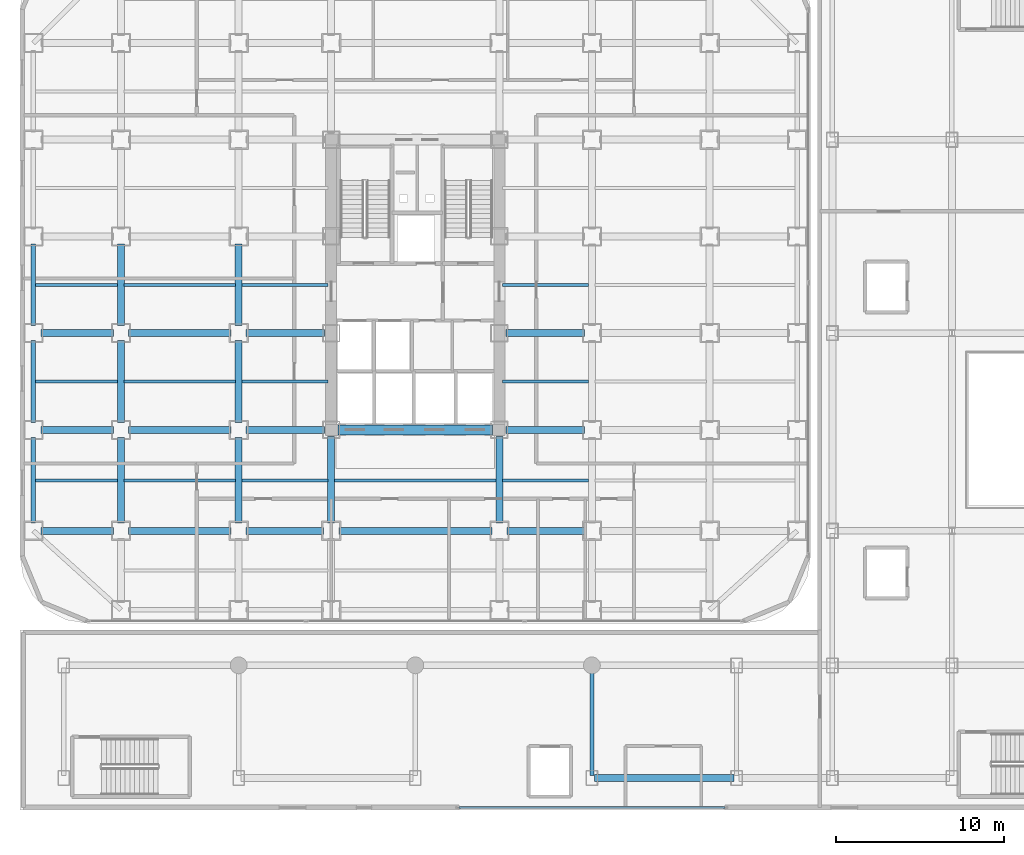
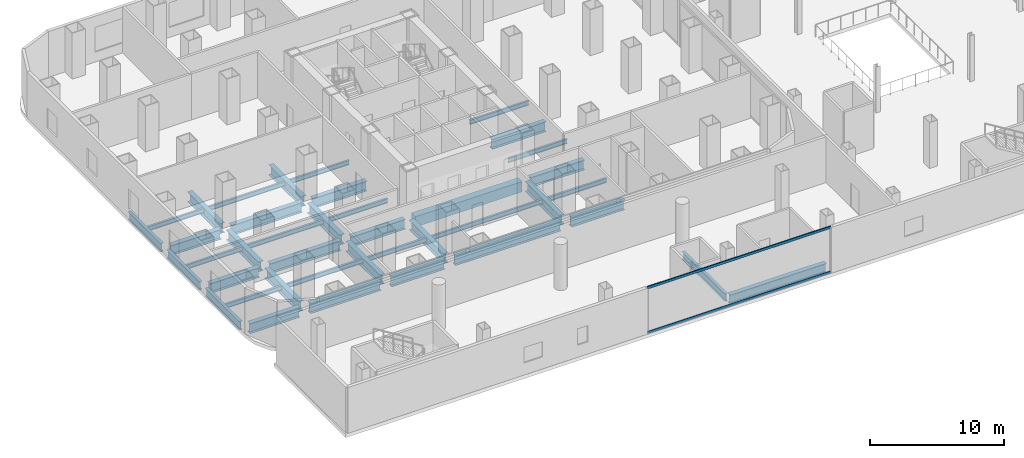
# One storey, part 9 of 27: 40 beams, 2 members, 1 element without a shape of its own.
"""IFC4 building model written with IfcOpenShell, lengths in metres."""

import ifcopenshell
import ifcopenshell.guid

model = None  # the IFC model being written
_history = None  # IfcOwnerHistory: only IFC2X3 demands one
_inside = {}  # id of a spatial element -> (the spatial element, [elements in it])
_under = {}  # id of a project, library or spatial element -> (it, [spatial elements below it])
_declared = {}  # id of a project -> (the project, [libraries it declares])
_typed = {}  # id of a type object -> (the type object, [elements of that type])
_made_of = {}  # id of a material, layer set ... -> (it, [elements and type objects made of it])


def new_model(schema):
    """Start an empty IFC model of exactly this schema.

    Asked for "IFC4X3", IfcOpenShell would pick the latest addendum, in which some entities
    have other attributes; the version numbers below select the first issue.
    IFC2X3 requires an IfcOwnerHistory on every rooted entity: one is made here for all.
    """
    global model, _history
    if schema == "IFC4X3":
        model = ifcopenshell.file(schema_version=(4, 3, 0, 0))
    else:
        model = ifcopenshell.file(schema=schema)
    _inside.clear()
    _under.clear()
    _declared.clear()
    _typed.clear()
    _made_of.clear()
    _history = None
    if model.schema == "IFC2X3":
        org = make("IfcOrganization", Name="unknown")
        user = make(
            "IfcPersonAndOrganization",
            ThePerson=make("IfcPerson", FamilyName="unknown"),
            TheOrganization=org,
        )
        app = make(
            "IfcApplication",
            ApplicationDeveloper=org,
            Version="unknown",
            ApplicationFullName="unknown",
            ApplicationIdentifier="unknown",
        )
        _history = make(
            "IfcOwnerHistory",
            OwningUser=user,
            OwningApplication=app,
            ChangeAction="ADDED",
            CreationDate=0,
        )
    return model


def make(cls, **values):
    """One entity of the class cls with the attributes given. An attribute that is None is left unset."""
    return model.create_entity(
        cls, **{name: value for name, value in values.items() if value is not None}
    )


def rooted(cls, **values):
    """An entity with a GlobalId (a new one), such as an element, a storey or a relation."""
    return make(cls, GlobalId=ifcopenshell.guid.new(), OwnerHistory=_history, **values)


def si_unit(unit_type, name, prefix=None):
    """IfcSIUnit, for example si_unit("LENGTHUNIT", "METRE", prefix="MILLI")."""
    return make("IfcSIUnit", UnitType=unit_type, Prefix=prefix, Name=name)


def assignment(units):
    """IfcUnitAssignment: the units of a project."""
    return None if units is None else make("IfcUnitAssignment", Units=units)


def point(xyz):
    """IfcCartesianPoint."""
    return None if xyz is None else make("IfcCartesianPoint", Coordinates=xyz)


def direction(xyz):
    """IfcDirection."""
    return None if xyz is None else make("IfcDirection", DirectionRatios=xyz)


def frame(location, z_axis=None, x_axis=None):
    """IfcAxis2Placement3D, a coordinate frame: its origin and axes. An axis left out is left unset."""
    return make(
        "IfcAxis2Placement3D",
        Location=point(location),
        Axis=direction(z_axis),
        RefDirection=direction(x_axis),
    )


def frame_2d(location, x_axis=None):
    """IfcAxis2Placement2D, a coordinate frame in the plane: its origin and x axis."""
    return make(
        "IfcAxis2Placement2D", Location=point(location), RefDirection=direction(x_axis)
    )


def origin():
    """The frame at (0, 0, 0) with its axes left unset."""
    return frame((0.0, 0.0, 0.0))


def origin_2d():
    """The frame at (0, 0) in the plane with its x axis left unset."""
    return frame_2d((0.0, 0.0))


def place(relative_to, where):
    """IfcLocalPlacement: puts the frame where relative to a parent placement (None: the world)."""
    return make(
        "IfcLocalPlacement", PlacementRelTo=relative_to, RelativePlacement=where
    )


def context(
    kind, dimensions, precision=None, world=None, true_north=None, identifier=None
):
    """IfcGeometricRepresentationContext, for example the 3D "Model" context."""
    return make(
        "IfcGeometricRepresentationContext",
        ContextIdentifier=identifier,
        ContextType=kind,
        CoordinateSpaceDimension=dimensions,
        Precision=precision,
        WorldCoordinateSystem=world,
        TrueNorth=true_north,
    )


def subcontext(parent, identifier, kind, view, scale=None):
    """IfcGeometricRepresentationSubContext, for example "Body" below "Model"."""
    return make(
        "IfcGeometricRepresentationSubContext",
        ContextIdentifier=identifier,
        ContextType=kind,
        ParentContext=parent,
        TargetScale=scale,
        TargetView=view,
    )


def project(units=None, contexts=None):
    """IfcProject with its units and contexts."""
    return rooted(
        "IfcProject",
        Name="project",
        RepresentationContexts=contexts,
        UnitsInContext=assignment(units),
    )


def spatial(cls, under=None, at=None, **own):
    """A site, building, storey or space (cls), placed at a placement, below another one or the project."""
    s = rooted(cls, ObjectPlacement=at, **own)
    if under is not None:
        _under.setdefault(under.id(), (under, []))[1].append(s)
    return s


def profile(cls, at=None, kind="AREA", **sizes):
    """A parametric profile (cls). Its sizes go by their IFC names, for example OverallWidth=200.0."""
    return make(cls, ProfileType=kind, Position=at, **sizes)


def rectangle(**sizes):
    """IfcRectangleProfileDef."""
    return profile("IfcRectangleProfileDef", **sizes)


def hollow_rectangle(**sizes):
    """IfcRectangleHollowProfileDef."""
    return profile("IfcRectangleHollowProfileDef", **sizes)


def i_section(**sizes):
    """IfcIShapeProfileDef."""
    return profile("IfcIShapeProfileDef", **sizes)


def extrude(swept, where, along, depth):
    """IfcExtrudedAreaSolid: the profile swept, set in the frame where, extruded along a direction by depth."""
    return make(
        "IfcExtrudedAreaSolid",
        SweptArea=swept,
        Position=where,
        ExtrudedDirection=direction(along),
        Depth=depth,
    )


def shape(context_of_items, identifier, shape_type, items):
    """IfcShapeRepresentation: the items that make up one representation, for example the "Body"."""
    return make(
        "IfcShapeRepresentation",
        ContextOfItems=context_of_items,
        RepresentationIdentifier=identifier,
        RepresentationType=shape_type,
        Items=items,
    )


def source(mapping_origin, context_of_items, identifier, shape_type, items):
    """IfcRepresentationMap: a shape defined once, which mapped items show again and again."""
    return make(
        "IfcRepresentationMap",
        MappingOrigin=mapping_origin,
        MappedRepresentation=shape(context_of_items, identifier, shape_type, items),
    )


def transform(
    local_origin,
    x_axis=None,
    y_axis=None,
    z_axis=None,
    scale=None,
    scale2=None,
    scale3=None,
    uniform=True,
):
    """IfcCartesianTransformationOperator3D, or its non-uniform kind. x_axis, y_axis, z_axis: its Axis1, 2, 3."""
    if uniform:
        return make(
            "IfcCartesianTransformationOperator3D",
            Axis1=direction(x_axis),
            Axis2=direction(y_axis),
            LocalOrigin=point(local_origin),
            Scale=scale,
            Axis3=direction(z_axis),
        )
    return make(
        "IfcCartesianTransformationOperator3DnonUniform",
        Axis1=direction(x_axis),
        Axis2=direction(y_axis),
        LocalOrigin=point(local_origin),
        Scale=scale,
        Axis3=direction(z_axis),
        Scale2=scale2,
        Scale3=scale3,
    )


def mapped(mapping_source, mapping_target):
    """IfcMappedItem: shows the shape of a source again, moved by a transform."""
    return make(
        "IfcMappedItem", MappingSource=mapping_source, MappingTarget=mapping_target
    )


def material(Name=None, Category=None):
    """IfcMaterial."""
    return make("IfcMaterial", Name=Name, Category=Category)


def layer(
    of_material, thickness, ventilated=None, Name=None, Category=None, Priority=None
):
    """IfcMaterialLayer: one layer of a wall or slab, of a material (None: an air gap)."""
    return make(
        "IfcMaterialLayer",
        Material=of_material,
        LayerThickness=thickness,
        IsVentilated=ventilated,
        Name=Name,
        Category=Category,
        Priority=Priority,
    )


def layer_set(layers, Name=None):
    """IfcMaterialLayerSet."""
    return make("IfcMaterialLayerSet", MaterialLayers=layers, LayerSetName=Name)


def material_profile(
    of_material, cross_section, Name=None, Category=None, Priority=None
):
    """IfcMaterialProfile: a cross section and its material."""
    return make(
        "IfcMaterialProfile",
        Name=Name,
        Material=of_material,
        Profile=cross_section,
        Priority=Priority,
        Category=Category,
    )


def profile_set(profiles, Name=None, composite=None):
    """IfcMaterialProfileSet."""
    return make(
        "IfcMaterialProfileSet",
        Name=Name,
        MaterialProfiles=profiles,
        CompositeProfile=composite,
    )


def made_of(thing, what):
    """Note that an element or type object is made of a material, layer set ...; save() writes the relation."""
    if what is not None:
        _made_of.setdefault(what.id(), (what, []))[1].append(thing)
    return thing


def type_object(cls, material=None, **own):
    """A type object (cls), such as IfcWallType, which elements share."""
    return made_of(rooted(cls, **own), material)


def element(
    cls,
    number,
    at=None,
    inside=None,
    cuts=None,
    type_object=None,
    material=None,
    context=None,
    identifier="Body",
    shape_type=None,
    held_by="IfcProductDefinitionShape",
    body=None,
    shapes=None,
    **own,
):
    """One element of the class cls, such as IfcWall. Its Tag is "e" and its number.

    at: its placement. inside: the storey or other place that contains it. cuts: it is an
    opening in that element (IfcRelVoidsElement). A single representation is given by context,
    identifier, shape_type and body (its items); several are given by shapes. held_by: the class
    of the entity that holds the representations. save() writes the other relations.
    """
    e = rooted(cls, Tag="e%d" % number, ObjectPlacement=at, **own)
    if body is not None:
        shapes = [shape(context, identifier, shape_type, body)]
    if shapes is not None:
        e.Representation = make(held_by, Representations=shapes)
    if inside is not None:
        _inside.setdefault(inside.id(), (inside, []))[1].append(e)
    if cuts is not None:
        rooted(
            "IfcRelVoidsElement", RelatingBuildingElement=cuts, RelatedOpeningElement=e
        )
    if type_object is not None:
        _typed.setdefault(type_object.id(), (type_object, []))[1].append(e)
    return made_of(e, material)


def aggregate(whole, parts):
    """IfcRelAggregates: a whole, such as a stair, and the parts it consists of."""
    return rooted("IfcRelAggregates", RelatingObject=whole, RelatedObjects=parts)


def save(model, path):
    """Write the relations noted so far, then the file.

    IfcRelAggregates (storeys below a building ...), IfcRelContainedInSpatialStructure (elements
    in a storey), IfcRelDefinesByType, IfcRelAssociatesMaterial and IfcRelDeclares: one each for
    every whole, place, type object, material and project.
    """
    for whole, parts in _under.values():
        aggregate(whole, parts)
    for where, things in _inside.values():
        rooted(
            "IfcRelContainedInSpatialStructure",
            RelatedElements=things,
            RelatingStructure=where,
        )
    for kind, things in _typed.values():
        rooted("IfcRelDefinesByType", RelatedObjects=things, RelatingType=kind)
    for what, things in _made_of.values():
        rooted("IfcRelAssociatesMaterial", RelatedObjects=things, RelatingMaterial=what)
    for by, libraries in _declared.values():
        rooted("IfcRelDeclares", RelatingContext=by, RelatedDefinitions=libraries)
    model.write(path)


model = new_model("IFC4")

# Units and contexts
model_context = context("Model", 3, precision=1e-05, world=origin(), true_north=direction((0.0, 1.0)))
body_context = subcontext(model_context, "Body", "Model", "MODEL_VIEW")
ifc_project = project(units=[si_unit("LENGTHUNIT", "METRE"), si_unit("AREAUNIT", "SQUARE_METRE"), si_unit("VOLUMEUNIT", "CUBIC_METRE"), si_unit("PLANEANGLEUNIT", "RADIAN"), si_unit("MASSUNIT", "GRAM", prefix="KILO")], contexts=[model_context])

# Site, building, storey
site_placement = place(None, origin())
site = spatial("IfcSite", under=ifc_project, at=site_placement, CompositionType="ELEMENT")
building_placement = place(site_placement, origin())
building = spatial("IfcBuilding", under=site, at=building_placement, Name="Kolveth Station Tower", CompositionType="ELEMENT")
storey_placement = place(building_placement, frame((0.0, 0.0, 13.5)))
storey = spatial("IfcBuildingStorey", under=building, at=storey_placement, Name="L03", CompositionType="ELEMENT", Elevation=13.5)

# Beams
ifc_material_1 = material(Name="Steel S355", Category="steel")
ifc_material_profile_1 = material_profile(ifc_material_1, i_section(OverallWidth=0.26904296875, OverallDepth=0.77490234375, WebThickness=0.01708984375, FlangeThickness=0.0283203125, at=origin_2d()), Name="W760x220")
ifc_profile_set_1 = profile_set([ifc_material_profile_1], Name="Steel S355")
beam_type_1 = type_object("IfcBeamType", Name="Beam_SP1", PredefinedType="SPANDREL", material=ifc_profile_set_1)
shared_shape_1 = source(origin(), body_context, "Body", "SweptSolid", [
    extrude(i_section(OverallWidth=0.26904296875, OverallDepth=0.77490234375, WebThickness=0.01708984375, FlangeThickness=0.0283203125, at=origin_2d()), origin(), (0.0, 0.0, 1.0), 5.10009765625),
])
beam_1_placement = place(storey_placement, frame((0.800048828125, 5.949951171875, -0.70751953125), z_axis=(0.0, 1.0, 0.0), x_axis=(-1.0, 0.0, 0.0)))
element("IfcBeam", 1, at=beam_1_placement, inside=storey, type_object=beam_type_1, Name="L03 Perimeter Spandrel BM-L03-PW-1", PredefinedType="SPANDREL", context=body_context, shape_type="MappedRepresentation", body=[
    mapped(shared_shape_1, transform((0.0, 0.0, 0.0), x_axis=(1.0, 0.0, 0.0), y_axis=(0.0, 1.0, 0.0), z_axis=(0.0, 0.0, 1.0), scale=1.0)),
])
shared_shape_2 = source(origin(), body_context, "Body", "SweptSolid", [
    extrude(i_section(OverallWidth=0.26904296875, OverallDepth=0.77490234375, WebThickness=0.01708984375, FlangeThickness=0.0283203125, at=origin_2d()), origin(), (0.0, 0.0, 1.0), 4.85009765625),
])
for number, where, z_axis, x_axis, name in (
    (2, (0.800048828125, 11.949951171875, -0.70751953125), (0.0, 1.0, 0.0), (-1.0, 0.0, 0.0), "L03 Perimeter Spandrel BM-L03-PW-2"),
    (3, (0.800048828125, 17.699951171875, -0.70751953125), (0.0, 1.0, 0.0), (-1.0, 0.0, 0.0), "L03 Perimeter Spandrel BM-L03-PW-3"),
):
    element("IfcBeam", number, at=place(storey_placement, frame(where, z_axis=z_axis, x_axis=x_axis)), inside=storey, type_object=beam_type_1, Name=name, PredefinedType="SPANDREL", context=body_context, shape_type="MappedRepresentation", body=[
        mapped(shared_shape_2, transform((0.0, 0.0, 0.0), x_axis=(1.0, 0.0, 0.0), y_axis=(0.0, 1.0, 0.0), z_axis=(0.0, 0.0, 1.0), scale=1.0)),
    ])
ifc_material_profile_2 = material_profile(ifc_material_1, i_section(OverallWidth=0.41796875, OverallDepth=0.912109375, WebThickness=0.019287109375, FlangeThickness=0.031982421875, at=origin_2d()), Name="W920x342")
ifc_profile_set_2 = profile_set([ifc_material_profile_2], Name="Steel S355")
beam_type_2 = type_object("IfcBeamType", Name="Beam_B1", PredefinedType="BEAM", material=ifc_profile_set_2)
shared_shape_3 = source(origin(), body_context, "Body", "SweptSolid", [
    extrude(i_section(OverallWidth=0.41796875, OverallDepth=0.912109375, WebThickness=0.019287109375, FlangeThickness=0.031982421875, at=origin_2d()), origin(), (0.0, 0.0, 1.0), 4.300048828125),
])
for number, where, z_axis, x_axis, name in (
    (4, (1.25, 5.5, -0.77587890625), (1.0, 0.0, 0.0), (0.0, 1.0, 0.0), "L03 Primary Girder BM-L03-GY55-1"),
    (5, (1.25, 11.5, -0.77587890625), (1.0, 0.0, 0.0), (0.0, 1.0, 0.0), "L03 Primary Girder BM-L03-GY115-1"),
    (6, (1.25, 17.25, -0.77587890625), (1.0, 0.0, 0.0), (0.0, 1.0, 0.0), "L03 Primary Girder BM-L03-GY172-1"),
):
    element("IfcBeam", number, at=place(storey_placement, frame(where, z_axis=z_axis, x_axis=x_axis)), inside=storey, type_object=beam_type_2, Name=name, PredefinedType="BEAM", context=body_context, shape_type="MappedRepresentation", body=[
        mapped(shared_shape_3, transform((0.0, 0.0, 0.0), x_axis=(1.0, 0.0, 0.0), y_axis=(0.0, 1.0, 0.0), z_axis=(0.0, 0.0, 1.0), scale=1.0)),
    ])
shared_shape_4 = source(origin(), body_context, "Body", "SweptSolid", [
    extrude(i_section(OverallWidth=0.41796875, OverallDepth=0.912109375, WebThickness=0.019287109375, FlangeThickness=0.031982421875, at=origin_2d()), origin(), (0.0, 0.0, 1.0), 6.10009765625),
])
for number, where, z_axis, x_axis, name in (
    (7, (6.449951171875, 5.5, -0.77587890625), (1.0, 0.0, 0.0), (0.0, 1.0, 0.0), "L03 Primary Girder BM-L03-GY55-2"),
    (8, (6.449951171875, 11.5, -0.77587890625), (1.0, 0.0, 0.0), (0.0, 1.0, 0.0), "L03 Primary Girder BM-L03-GY115-2"),
    (9, (6.449951171875, 17.25, -0.77587890625), (1.0, 0.0, 0.0), (0.0, 1.0, 0.0), "L03 Primary Girder BM-L03-GY172-2"),
):
    element("IfcBeam", number, at=place(storey_placement, frame(where, z_axis=z_axis, x_axis=x_axis)), inside=storey, type_object=beam_type_2, Name=name, PredefinedType="BEAM", context=body_context, shape_type="MappedRepresentation", body=[
        mapped(shared_shape_4, transform((0.0, 0.0, 0.0), x_axis=(1.0, 0.0, 0.0), y_axis=(0.0, 1.0, 0.0), z_axis=(0.0, 0.0, 1.0), scale=1.0)),
    ])
shared_shape_5 = source(origin(), body_context, "Body", "SweptSolid", [
    extrude(i_section(OverallWidth=0.41796875, OverallDepth=0.912109375, WebThickness=0.019287109375, FlangeThickness=0.031982421875, at=origin_2d()), origin(), (0.0, 0.0, 1.0), 4.60009765625),
])
for number, where, z_axis, x_axis, name in (
    (10, (13.449951171875, 5.5, -0.77587890625), (1.0, 0.0, 0.0), (0.0, 1.0, 0.0), "L03 Primary Girder BM-L03-GY55-3"),
    (11, (28.949951171875, 5.5, -0.77587890625), (1.0, 0.0, 0.0), (0.0, 1.0, 0.0), "L03 Primary Girder BM-L03-GY55-5"),
):
    element("IfcBeam", number, at=place(storey_placement, frame(where, z_axis=z_axis, x_axis=x_axis)), inside=storey, type_object=beam_type_2, Name=name, PredefinedType="BEAM", context=body_context, shape_type="MappedRepresentation", body=[
        mapped(shared_shape_5, transform((0.0, 0.0, 0.0), x_axis=(1.0, 0.0, 0.0), y_axis=(0.0, 1.0, 0.0), z_axis=(0.0, 0.0, 1.0), scale=1.0)),
    ])
shared_shape_6 = source(origin(), body_context, "Body", "SweptSolid", [
    extrude(i_section(OverallWidth=0.41796875, OverallDepth=0.912109375, WebThickness=0.019287109375, FlangeThickness=0.031982421875, at=origin_2d()), origin(), (0.0, 0.0, 1.0), 9.10009765625),
])
beam_2_placement = place(storey_placement, frame((18.949951171875, 5.5, -0.77587890625), z_axis=(1.0, 0.0, 0.0), x_axis=(0.0, 1.0, 0.0)))
element("IfcBeam", 12, at=beam_2_placement, inside=storey, type_object=beam_type_2, Name="L03 Primary Girder BM-L03-GY55-4", PredefinedType="BEAM", context=body_context, shape_type="MappedRepresentation", body=[
    mapped(shared_shape_6, transform((0.0, 0.0, 0.0), x_axis=(1.0, 0.0, 0.0), y_axis=(0.0, 1.0, 0.0), z_axis=(0.0, 0.0, 1.0), scale=1.0)),
])
shared_shape_7 = source(origin(), body_context, "Body", "SweptSolid", [
    extrude(i_section(OverallWidth=0.41796875, OverallDepth=0.912109375, WebThickness=0.019287109375, FlangeThickness=0.031982421875, at=origin_2d()), origin(), (0.0, 0.0, 1.0), 4.650146484375),
])
for number, where, z_axis, x_axis, name in (
    (13, (13.449951171875, 11.5, -0.77587890625), (1.0, 0.0, 0.0), (0.0, 1.0, 0.0), "L03 Primary Girder BM-L03-GY115-3"),
    (14, (28.89990234375, 11.5, -0.77587890625), (1.0, 0.0, 0.0), (0.0, 1.0, 0.0), "L03 Primary Girder BM-L03-GY115-5"),
    (15, (13.449951171875, 17.25, -0.77587890625), (1.0, 0.0, 0.0), (0.0, 1.0, 0.0), "L03 Primary Girder BM-L03-GY172-3"),
    (16, (28.89990234375, 17.25, -0.77587890625), (1.0, 0.0, 0.0), (0.0, 1.0, 0.0), "L03 Primary Girder BM-L03-GY172-5"),
):
    element("IfcBeam", number, at=place(storey_placement, frame(where, z_axis=z_axis, x_axis=x_axis)), inside=storey, type_object=beam_type_2, Name=name, PredefinedType="BEAM", context=body_context, shape_type="MappedRepresentation", body=[
        mapped(shared_shape_7, transform((0.0, 0.0, 0.0), x_axis=(1.0, 0.0, 0.0), y_axis=(0.0, 1.0, 0.0), z_axis=(0.0, 0.0, 1.0), scale=1.0)),
    ])
ifc_material_2 = material(Name="Concrete C60/75", Category="concrete")
ifc_material_profile_3 = material_profile(ifc_material_2, rectangle(XDim=0.60009765625, YDim=0.949951171875, at=origin_2d()), Name="RC-600x950")
ifc_profile_set_3 = profile_set([ifc_material_profile_3], Name="Concrete C60/75")
beam_type_3 = type_object("IfcBeamType", Name="Beam_CB1", PredefinedType="BEAM", material=ifc_profile_set_3)
shared_shape_8 = source(origin(), body_context, "Body", "SweptSolid", [
    extrude(rectangle(XDim=0.60009765625, YDim=0.949951171875, at=origin_2d()), origin(), (0.0, 0.0, 1.0), 9.2001953125),
])
beam_3_placement = place(storey_placement, frame((18.89990234375, 11.5, -0.794921875), z_axis=(1.0, 0.0, 0.0), x_axis=(0.0, 1.0, 0.0)))
element("IfcBeam", 17, at=beam_3_placement, inside=storey, type_object=beam_type_3, Name="L03 Core Coupling Beam BM-L03-CB-Y115", PredefinedType="BEAM", context=body_context, shape_type="MappedRepresentation", body=[
    mapped(shared_shape_8, transform((0.0, 0.0, 0.0), x_axis=(1.0, 0.0, 0.0), y_axis=(0.0, 1.0, 0.0), z_axis=(0.0, 0.0, 1.0), scale=1.0)),
])
shared_shape_9 = source(origin(), body_context, "Body", "SweptSolid", [
    extrude(i_section(OverallWidth=0.41796875, OverallDepth=0.912109375, WebThickness=0.019287109375, FlangeThickness=0.031982421875, at=origin_2d()), origin(), (0.0, 0.0, 1.0), 5.10009765625),
])
for number, where, z_axis, x_axis, name in (
    (18, (6.0, 5.949951171875, -0.77587890625), (0.0, 1.0, 0.0), (-1.0, 0.0, 0.0), "L03 Primary Girder BM-L03-GX60-2"),
    (19, (13.0, 5.949951171875, -0.77587890625), (0.0, 1.0, 0.0), (-1.0, 0.0, 0.0), "L03 Primary Girder BM-L03-GX130-2"),
):
    element("IfcBeam", number, at=place(storey_placement, frame(where, z_axis=z_axis, x_axis=x_axis)), inside=storey, type_object=beam_type_2, Name=name, PredefinedType="BEAM", context=body_context, shape_type="MappedRepresentation", body=[
        mapped(shared_shape_9, transform((0.0, 0.0, 0.0), x_axis=(1.0, 0.0, 0.0), y_axis=(0.0, 1.0, 0.0), z_axis=(0.0, 0.0, 1.0), scale=1.0)),
    ])
shared_shape_10 = source(origin(), body_context, "Body", "SweptSolid", [
    extrude(i_section(OverallWidth=0.41796875, OverallDepth=0.912109375, WebThickness=0.019287109375, FlangeThickness=0.031982421875, at=origin_2d()), origin(), (0.0, 0.0, 1.0), 4.85009765625),
])
for number, where, z_axis, x_axis, name in (
    (20, (6.0, 11.949951171875, -0.77587890625), (0.0, 1.0, 0.0), (-1.0, 0.0, 0.0), "L03 Primary Girder BM-L03-GX60-3"),
    (21, (6.0, 17.699951171875, -0.77587890625), (0.0, 1.0, 0.0), (-1.0, 0.0, 0.0), "L03 Primary Girder BM-L03-GX60-4"),
    (22, (13.0, 11.949951171875, -0.77587890625), (0.0, 1.0, 0.0), (-1.0, 0.0, 0.0), "L03 Primary Girder BM-L03-GX130-3"),
    (23, (13.0, 17.699951171875, -0.77587890625), (0.0, 1.0, 0.0), (-1.0, 0.0, 0.0), "L03 Primary Girder BM-L03-GX130-4"),
):
    element("IfcBeam", number, at=place(storey_placement, frame(where, z_axis=z_axis, x_axis=x_axis)), inside=storey, type_object=beam_type_2, Name=name, PredefinedType="BEAM", context=body_context, shape_type="MappedRepresentation", body=[
        mapped(shared_shape_10, transform((0.0, 0.0, 0.0), x_axis=(1.0, 0.0, 0.0), y_axis=(0.0, 1.0, 0.0), z_axis=(0.0, 0.0, 1.0), scale=1.0)),
    ])
shared_shape_11 = source(origin(), body_context, "Body", "SweptSolid", [
    extrude(i_section(OverallWidth=0.41796875, OverallDepth=0.912109375, WebThickness=0.019287109375, FlangeThickness=0.031982421875, at=origin_2d()), origin(), (0.0, 0.0, 1.0), 5.150146484375),
])
for number, where, z_axis, x_axis, name in (
    (24, (18.5, 5.949951171875, -0.77587890625), (0.0, 1.0, 0.0), (-1.0, 0.0, 0.0), "L03 Primary Girder BM-L03-GX185-2"),
    (25, (28.5, 5.949951171875, -0.77587890625), (0.0, 1.0, 0.0), (-1.0, 0.0, 0.0), "L03 Primary Girder BM-L03-GX285-2"),
):
    element("IfcBeam", number, at=place(storey_placement, frame(where, z_axis=z_axis, x_axis=x_axis)), inside=storey, type_object=beam_type_2, Name=name, PredefinedType="BEAM", context=body_context, shape_type="MappedRepresentation", body=[
        mapped(shared_shape_11, transform((0.0, 0.0, 0.0), x_axis=(1.0, 0.0, 0.0), y_axis=(0.0, 1.0, 0.0), z_axis=(0.0, 0.0, 1.0), scale=1.0)),
    ])
ifc_material_profile_4 = material_profile(ifc_material_1, i_section(OverallWidth=0.177978515625, OverallDepth=0.406982421875, WebThickness=0.0078125, FlangeThickness=0.0126953125, at=origin_2d()), Name="W410x60")
ifc_profile_set_4 = profile_set([ifc_material_profile_4], Name="Steel S355")
beam_type_4 = type_object("IfcBeamType", Name="Beam_J1", PredefinedType="JOIST", material=ifc_profile_set_4)
shared_shape_12 = source(origin(), body_context, "Body", "SweptSolid", [
    extrude(i_section(OverallWidth=0.177978515625, OverallDepth=0.406982421875, WebThickness=0.0078125, FlangeThickness=0.0126953125, at=origin_2d()), origin(), (0.0, 0.0, 1.0), 4.872314453125),
])
for number, where, z_axis, x_axis, name in (
    (26, (0.9326171875, 8.5, -0.5234375), (1.0, 0.0, 0.0), (0.0, 1.0, 0.0), "L03 Secondary Joist JST-L03-1-2"),
    (27, (0.9326171875, 14.375, -0.5234375), (1.0, 0.0, 0.0), (0.0, 1.0, 0.0), "L03 Secondary Joist JST-L03-1-3"),
    (28, (0.9326171875, 20.125, -0.5234375), (1.0, 0.0, 0.0), (0.0, 1.0, 0.0), "L03 Secondary Joist JST-L03-1-4"),
):
    element("IfcBeam", number, at=place(storey_placement, frame(where, z_axis=z_axis, x_axis=x_axis)), inside=storey, type_object=beam_type_4, Name=name, PredefinedType="JOIST", context=body_context, shape_type="MappedRepresentation", body=[
        mapped(shared_shape_12, transform((0.0, 0.0, 0.0), x_axis=(1.0, 0.0, 0.0), y_axis=(0.0, 1.0, 0.0), z_axis=(0.0, 0.0, 1.0), scale=1.0)),
    ])
shared_shape_13 = source(origin(), body_context, "Body", "SweptSolid", [
    extrude(i_section(OverallWidth=0.177978515625, OverallDepth=0.406982421875, WebThickness=0.0078125, FlangeThickness=0.0126953125, at=origin_2d()), origin(), (0.0, 0.0, 1.0), 6.60986328125),
])
for number, where, z_axis, x_axis, name in (
    (29, (6.195068359375, 8.5, -0.5234375), (1.0, 0.0, 0.0), (0.0, 1.0, 0.0), "L03 Secondary Joist JST-L03-2-2"),
    (30, (6.195068359375, 14.375, -0.5234375), (1.0, 0.0, 0.0), (0.0, 1.0, 0.0), "L03 Secondary Joist JST-L03-2-3"),
    (31, (6.195068359375, 20.125, -0.5234375), (1.0, 0.0, 0.0), (0.0, 1.0, 0.0), "L03 Secondary Joist JST-L03-2-4"),
):
    element("IfcBeam", number, at=place(storey_placement, frame(where, z_axis=z_axis, x_axis=x_axis)), inside=storey, type_object=beam_type_4, Name=name, PredefinedType="JOIST", context=body_context, shape_type="MappedRepresentation", body=[
        mapped(shared_shape_13, transform((0.0, 0.0, 0.0), x_axis=(1.0, 0.0, 0.0), y_axis=(0.0, 1.0, 0.0), z_axis=(0.0, 0.0, 1.0), scale=1.0)),
    ])
shared_shape_14 = source(origin(), body_context, "Body", "SweptSolid", [
    extrude(i_section(OverallWidth=0.177978515625, OverallDepth=0.406982421875, WebThickness=0.0078125, FlangeThickness=0.0126953125, at=origin_2d()), origin(), (0.0, 0.0, 1.0), 5.10986328125),
])
for number, where, z_axis, x_axis, name in (
    (32, (13.195068359375, 8.5, -0.5234375), (1.0, 0.0, 0.0), (0.0, 1.0, 0.0), "L03 Secondary Joist JST-L03-3-2"),
    (33, (13.195068359375, 14.375, -0.5234375), (1.0, 0.0, 0.0), (0.0, 1.0, 0.0), "L03 Secondary Joist JST-L03-3-3"),
    (34, (13.195068359375, 20.125, -0.5234375), (1.0, 0.0, 0.0), (0.0, 1.0, 0.0), "L03 Secondary Joist JST-L03-3-4"),
    (35, (28.695068359375, 8.5, -0.5234375), (1.0, 0.0, 0.0), (0.0, 1.0, 0.0), "L03 Secondary Joist JST-L03-5-2"),
    (36, (28.695068359375, 14.375, -0.5234375), (1.0, 0.0, 0.0), (0.0, 1.0, 0.0), "L03 Secondary Joist JST-L03-5-3"),
    (37, (28.695068359375, 20.125, -0.5234375), (1.0, 0.0, 0.0), (0.0, 1.0, 0.0), "L03 Secondary Joist JST-L03-5-4"),
):
    element("IfcBeam", number, at=place(storey_placement, frame(where, z_axis=z_axis, x_axis=x_axis)), inside=storey, type_object=beam_type_4, Name=name, PredefinedType="JOIST", context=body_context, shape_type="MappedRepresentation", body=[
        mapped(shared_shape_14, transform((0.0, 0.0, 0.0), x_axis=(1.0, 0.0, 0.0), y_axis=(0.0, 1.0, 0.0), z_axis=(0.0, 0.0, 1.0), scale=1.0)),
    ])
shared_shape_15 = source(origin(), body_context, "Body", "SweptSolid", [
    extrude(i_section(OverallWidth=0.177978515625, OverallDepth=0.406982421875, WebThickness=0.0078125, FlangeThickness=0.0126953125, at=origin_2d()), origin(), (0.0, 0.0, 1.0), 9.60986328125),
])
beam_4_placement = place(storey_placement, frame((18.695068359375, 8.5, -0.5234375), z_axis=(1.0, 0.0, 0.0), x_axis=(0.0, 1.0, 0.0)))
element("IfcBeam", 38, at=beam_4_placement, inside=storey, type_object=beam_type_4, Name="L03 Secondary Joist JST-L03-4-2", PredefinedType="JOIST", context=body_context, shape_type="MappedRepresentation", body=[
    mapped(shared_shape_15, transform((0.0, 0.0, 0.0), x_axis=(1.0, 0.0, 0.0), y_axis=(0.0, 1.0, 0.0), z_axis=(0.0, 0.0, 1.0), scale=1.0)),
])
ifc_material_profile_5 = material_profile(ifc_material_1, i_section(OverallWidth=0.40087890625, OverallDepth=0.85107421875, WebThickness=0.01611328125, FlangeThickness=0.025390625, at=origin_2d()), Name="W840x226")
ifc_profile_set_5 = profile_set([ifc_material_profile_5], Name="Steel S355")
beam_type_5 = type_object("IfcBeamType", Name="Beam_B2", PredefinedType="BEAM", material=ifc_profile_set_5)
shared_shape_16 = source(origin(), body_context, "Body", "SweptSolid", [
    extrude(i_section(OverallWidth=0.40087890625, OverallDepth=0.85107421875, WebThickness=0.01611328125, FlangeThickness=0.025390625, at=origin_2d()), origin(), (0.0, 0.0, 1.0), 8.300048828125),
])
beam_5_placement = place(storey_placement, frame((34.14990234375, -9.199951171875, -0.74560546875), z_axis=(1.0, 0.0, 0.0), x_axis=(0.0, 1.0, 0.0)))
element("IfcBeam", 39, at=beam_5_placement, inside=storey, type_object=beam_type_5, Name="L03 Station Concourse Girder SBM-L03-SL1-4", PredefinedType="BEAM", context=body_context, shape_type="MappedRepresentation", body=[
    mapped(shared_shape_16, transform((0.0, 0.0, 0.0), x_axis=(1.0, 0.0, 0.0), y_axis=(0.0, 1.0, 0.0), z_axis=(0.0, 0.0, 1.0), scale=1.0)),
])
ifc_material_profile_6 = material_profile(ifc_material_1, i_section(OverallWidth=0.25390625, OverallDepth=0.68798828125, WebThickness=0.01318359375, FlangeThickness=0.02099609375, at=origin_2d()), Name="W690x152")
ifc_profile_set_6 = profile_set([ifc_material_profile_6], Name="Steel S355")
beam_type_6 = type_object("IfcBeamType", Name="Beam_B4", PredefinedType="BEAM", material=ifc_profile_set_6)
shared_shape_17 = source(origin(), body_context, "Body", "SweptSolid", [
    extrude(i_section(OverallWidth=0.25390625, OverallDepth=0.68798828125, WebThickness=0.01318359375, FlangeThickness=0.02099609375, at=origin_2d()), origin(), (0.0, 0.0, 1.0), 6.400146484375),
])
beam_6_placement = place(storey_placement, frame((34.0, -9.050048828125, -0.6640625), z_axis=(0.0, 1.0, 0.0), x_axis=(-1.0, 0.0, 0.0)))
element("IfcBeam", 40, at=beam_6_placement, inside=storey, type_object=beam_type_6, Name="L03 Station Transverse Beam SBM-L03-ST-4", PredefinedType="BEAM", context=body_context, shape_type="MappedRepresentation", body=[
    mapped(shared_shape_17, transform((0.0, 0.0, 0.0), x_axis=(1.0, 0.0, 0.0), y_axis=(0.0, 1.0, 0.0), z_axis=(0.0, 0.0, 1.0), scale=1.0)),
])

# Curtain wall, members
ifc_material_3 = material(Name="Black anodized aluminium 6063-T6 and clear station glass", Category="aluminium")
ifc_layer = layer(ifc_material_3, 0.239990234375)
ifc_layer_set = layer_set([ifc_layer], Name="Black anodized aluminium 6063-T6 and clear station glass")
curtain_wall_type = type_object("IfcCurtainWallType", Name="CurtainWall_CW-ST", PredefinedType="NOTDEFINED", material=ifc_layer_set)
curtain_wall_placement = place(storey_placement, origin())
curtain_wall = element("IfcCurtainWall", 41, at=curtain_wall_placement, inside=storey, type_object=curtain_wall_type, Name="L03 Station South Concourse Curtain Wall", PredefinedType="NOTDEFINED")
ifc_material_4 = material(Name="Black anodized aluminium 6063-T6", Category="aluminium")
ifc_material_profile_7 = material_profile(ifc_material_4, hollow_rectangle(XDim=0.094970703125, YDim=0.219970703125, WallThickness=0.0048828125, at=origin_2d()), Name="ALU-95x220x5")
ifc_profile_set_7 = profile_set([ifc_material_profile_7], Name="Black anodized aluminium 6063-T6")
member_type = type_object("IfcMemberType", Name="Transom_TR-ST", PredefinedType="USERDEFINED", material=ifc_profile_set_7)
shared_shape_18 = source(origin(), body_context, "Body", "SweptSolid", [
    extrude(hollow_rectangle(XDim=0.094970703125, YDim=0.219970703125, WallThickness=0.0048828125, at=origin_2d()), origin(), (0.0, 0.0, 1.0), 15.7998046875),
])
member_1_placement = place(storey_placement, frame((26.10009765625, -10.949951171875, 0.047607421875), z_axis=(1.0, 0.0, 0.0), x_axis=(0.0, 1.0, 0.0)))
member_1 = element("IfcMember", 42, at=member_1_placement, type_object=member_type, Name="CW-ST transom 1.1", ObjectType="TRANSOM", PredefinedType="USERDEFINED", context=body_context, shape_type="MappedRepresentation", body=[
    mapped(shared_shape_18, transform((0.0, 0.0, 0.0), x_axis=(1.0, 0.0, 0.0), y_axis=(0.0, 1.0, 0.0), z_axis=(0.0, 0.0, 1.0), scale=1.0)),
])
member_2_placement = place(storey_placement, frame((26.10009765625, -10.949951171875, 4.132568359375), z_axis=(1.0, 0.0, 0.0), x_axis=(0.0, 1.0, 0.0)))
member_2 = element("IfcMember", 43, at=member_2_placement, type_object=member_type, Name="CW-ST transom 1.2", ObjectType="TRANSOM", PredefinedType="USERDEFINED", context=body_context, shape_type="MappedRepresentation", body=[
    mapped(shared_shape_18, transform((0.0, 0.0, 0.0), x_axis=(1.0, 0.0, 0.0), y_axis=(0.0, 1.0, 0.0), z_axis=(0.0, 0.0, 1.0), scale=1.0)),
])
aggregate(curtain_wall, [member_1, member_2])

save(model, "model.ifc")
